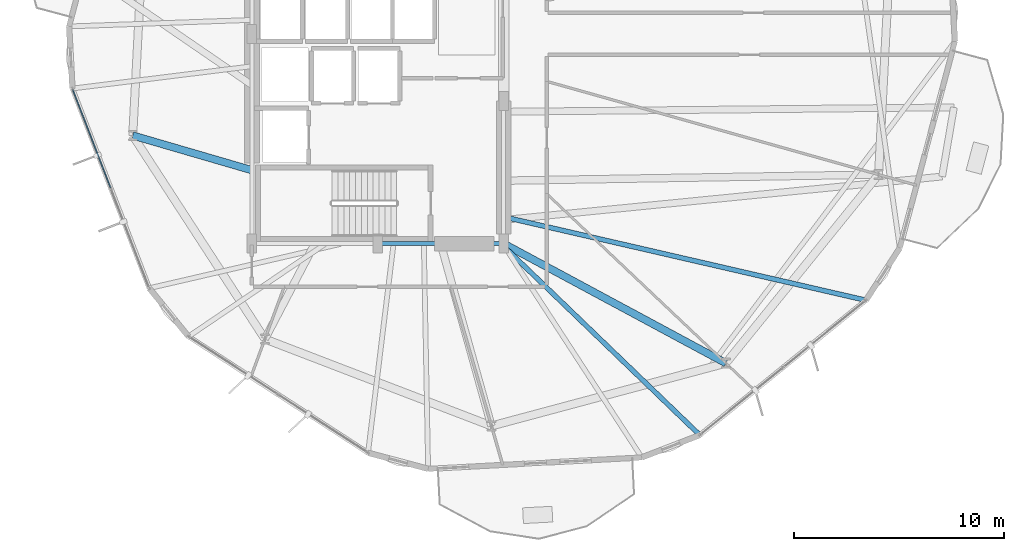
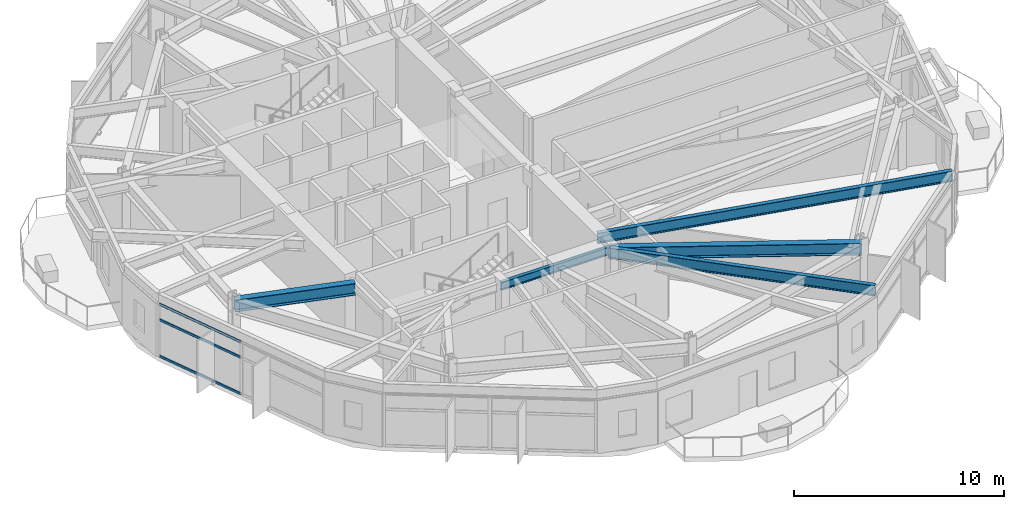
# One storey, part 6 of 23: 5 beams, 3 members, 1 element without a shape of its own.
"""IFC4 building model written with IfcOpenShell, lengths in metres."""

from ifc_helpers import new_model, si_unit, direction, frame, origin, origin_2d, place, context, subcontext, project, spatial, hollow_rectangle, i_section, extrude, material, layer, layer_set, material_profile, profile_set, type_object, element, aggregate, save


model = new_model("IFC4")

# Units and contexts
model_context = context("Model", 3, precision=1e-05, world=origin(), true_north=direction((0.0, 1.0)))
body_context = subcontext(model_context, "Body", "Model", "MODEL_VIEW")
ifc_project = project(units=[si_unit("LENGTHUNIT", "METRE"), si_unit("AREAUNIT", "SQUARE_METRE"), si_unit("VOLUMEUNIT", "CUBIC_METRE"), si_unit("PLANEANGLEUNIT", "RADIAN"), si_unit("MASSUNIT", "GRAM", prefix="KILO")], contexts=[model_context])

# Site, building, storey
site_placement = place(None, origin())
site = spatial("IfcSite", under=ifc_project, at=site_placement, CompositionType="ELEMENT")
building_placement = place(site_placement, origin())
building = spatial("IfcBuilding", under=site, at=building_placement, Name="Soratama Intermodal Tower", CompositionType="ELEMENT")
storey_placement = place(building_placement, frame((0.0, 0.0, 38.60009765625)))
storey = spatial("IfcBuildingStorey", under=building, at=storey_placement, Name="L08", CompositionType="ELEMENT", Elevation=38.60009765625)

# Beams
ifc_material_1 = material(Name="Structural steel ASTM A992 Grade 50", Category="steel")
ifc_material_profile_1 = material_profile(ifc_material_1, i_section(OverallWidth=0.19091796875, OverallDepth=0.4599609375, WebThickness=0.010009765625, FlangeThickness=0.01611328125, FilletRadius=0.010986328125, at=origin_2d()), Name="W18X55")
ifc_profile_set_1 = profile_set([ifc_material_profile_1], Name="Structural steel ASTM A992 Grade 50")
beam_type_1 = type_object("IfcBeamType", Name="BM-FLR-W18X55", PredefinedType="BEAM", material=ifc_profile_set_1)
beam_1_placement = place(storey_placement, frame((38.60009765625, 15.0, 3.469970703125), z_axis=(1.0, 0.0, 0.0), x_axis=(0.0, 1.0, 0.0)))
element("IfcBeam", 1, at=beam_1_placement, inside=storey, type_object=beam_type_1, Name="BM-L08-CRING-02", PredefinedType="BEAM", context=body_context, shape_type="SweptSolid", body=[
    extrude(i_section(OverallWidth=0.19091796875, OverallDepth=0.4599609375, WebThickness=0.010009765625, FlangeThickness=0.01611328125, FilletRadius=0.010986328125, at=origin_2d()), origin(), (0.0, 0.0, 1.0), 6.0),
])
ifc_material_2 = material(Name="Structural steel ASTM A992 Grade 50", Category="steel")
ifc_material_profile_2 = material_profile(ifc_material_2, i_section(OverallWidth=0.35498046875, OverallDepth=0.695068359375, WebThickness=0.015380859375, FlangeThickness=0.02490234375, FilletRadius=0.01611328125, at=origin_2d()), Name="W27X146")
ifc_profile_set_2 = profile_set([ifc_material_profile_2], Name="Structural steel ASTM A992 Grade 50")
beam_type_2 = type_object("IfcBeamType", Name="BM-RING-W27X146", PredefinedType="BEAM", material=ifc_profile_set_2)
beam_2_placement = place(storey_placement, frame((32.60009765625, 18.5, 3.352294921875), z_axis=(-0.960102504931, 0.279648314898, 0.0), x_axis=(-0.279648314898, -0.960102504931, 0.0)))
element("IfcBeam", 2, at=beam_2_placement, inside=storey, type_object=beam_type_2, Name="BM-L08-RAD-06", PredefinedType="BEAM", context=body_context, shape_type="SweptSolid", body=[
    extrude(i_section(OverallWidth=0.35498046875, OverallDepth=0.695068359375, WebThickness=0.015380859375, FlangeThickness=0.02490234375, FilletRadius=0.01611328125, at=origin_2d()), origin(), (0.0, 0.0, 1.0), 5.918212890625),
])
beam_3_placement = place(storey_placement, frame((44.60009765625, 15.0, 3.352294921875), z_axis=(0.880663887759, -0.473741613961, 0.0), x_axis=(0.473741613961, 0.880663887759, 0.0)))
element("IfcBeam", 3, at=beam_3_placement, inside=storey, type_object=beam_type_2, Name="BM-L08-RAD-09", PredefinedType="BEAM", context=body_context, shape_type="SweptSolid", body=[
    extrude(i_section(OverallWidth=0.35498046875, OverallDepth=0.695068359375, WebThickness=0.015380859375, FlangeThickness=0.02490234375, FilletRadius=0.01611328125, at=origin_2d()), origin(), (0.0, 0.0, 1.0), 12.03173828125),
])
ifc_material_3 = material(Name="Structural steel ASTM A992 Grade 50", Category="steel")
ifc_material_profile_3 = material_profile(ifc_material_3, i_section(OverallWidth=0.22900390625, OverallDepth=0.612060546875, WebThickness=0.011962890625, FlangeThickness=0.01953125, FilletRadius=0.012939453125, at=origin_2d()), Name="W24X84")
ifc_profile_set_3 = profile_set([ifc_material_profile_3], Name="Structural steel ASTM A992 Grade 50")
beam_type_3 = type_object("IfcBeamType", Name="BM-TIE-W24X84", PredefinedType="BEAM", material=ifc_profile_set_3)
beam_4_placement = place(storey_placement, frame((44.5009765625, 14.971923828125, 3.393798828125), z_axis=(0.720437590905, -0.693519774492, 0.0), x_axis=(0.693519774492, 0.720437590905, 0.0)))
element("IfcBeam", 4, at=beam_4_placement, inside=storey, type_object=beam_type_3, Name="BM-L08-TIE0-09", PredefinedType="BEAM", context=body_context, shape_type="SweptSolid", body=[
    extrude(i_section(OverallWidth=0.22900390625, OverallDepth=0.612060546875, WebThickness=0.011962890625, FlangeThickness=0.01953125, FilletRadius=0.012939453125, at=origin_2d()), origin(), (0.0, 0.0, 1.0), 13.1240234375),
])
beam_5_placement = place(storey_placement, frame((44.638916015625, 16.26708984375, 3.393798828125), z_axis=(0.97450273047, -0.224375641073, 0.0), x_axis=(0.224375641073, 0.97450273047, 0.0)))
element("IfcBeam", 5, at=beam_5_placement, inside=storey, type_object=beam_type_3, Name="BM-L08-TIE1-09", PredefinedType="BEAM", context=body_context, shape_type="SweptSolid", body=[
    extrude(i_section(OverallWidth=0.22900390625, OverallDepth=0.612060546875, WebThickness=0.011962890625, FlangeThickness=0.01953125, FilletRadius=0.012939453125, at=origin_2d()), origin(), (0.0, 0.0, 1.0), 17.68896484375),
])

# Curtain wall, members
ifc_material_4 = material(Name="Double-glazed aluminium curtain wall", Category="aluminium")
ifc_layer = layer(ifc_material_4, 0.159912109375)
ifc_layer_set = layer_set([ifc_layer], Name="Double-glazed aluminium curtain wall")
curtain_wall_type = type_object("IfcCurtainWallType", Name="CW-SYS-2", PredefinedType="NOTDEFINED", material=ifc_layer_set)
curtain_wall_placement = place(storey_placement, origin())
curtain_wall = element("IfcCurtainWall", 6, at=curtain_wall_placement, inside=storey, type_object=curtain_wall_type, Name="L08 Faceted Curtain Wall F06", PredefinedType="NOTDEFINED")
ifc_material_5 = material(Name="Anodised aluminium AA 6063-T6", Category="aluminium")
ifc_material_profile_4 = material_profile(ifc_material_5, hollow_rectangle(XDim=0.06494140625, YDim=0.14990234375, WallThickness=0.0048828125, InnerFilletRadius=0.0048828125, OuterFilletRadius=0.010009765625, at=origin_2d()), Name="CWT150X65X5")
ifc_profile_set_4 = profile_set([ifc_material_profile_4], Name="Anodised aluminium AA 6063-T6")
member_type = type_object("IfcMemberType", Name="TT-CWT-1", PredefinedType="USERDEFINED", material=ifc_profile_set_4)
member_1_placement = place(storey_placement, frame((24.059814453125, 22.337890625, 0.02978515625), z_axis=(0.359354542161, -0.933201110709, 0.0), x_axis=(0.933201110709, 0.359354542161, 0.0)))
member_1 = element("IfcMember", 7, at=member_1_placement, type_object=member_type, Name="CW-2 transom 1.1", ObjectType="TRANSOM", PredefinedType="USERDEFINED", context=body_context, shape_type="SweptSolid", body=[
    extrude(hollow_rectangle(XDim=0.06494140625, YDim=0.14990234375, WallThickness=0.0048828125, InnerFilletRadius=0.0048828125, OuterFilletRadius=0.010009765625, at=origin_2d()), origin(), (0.0, 0.0, 1.0), 5.010498046875),
])
member_2_placement = place(storey_placement, frame((24.059814453125, 22.337890625, 2.14990234375), z_axis=(0.359354542161, -0.933201110709, 0.0), x_axis=(0.933201110709, 0.359354542161, 0.0)))
member_2 = element("IfcMember", 8, at=member_2_placement, type_object=member_type, Name="CW-2 transom 1.2", ObjectType="TRANSOM", PredefinedType="USERDEFINED", context=body_context, shape_type="SweptSolid", body=[
    extrude(hollow_rectangle(XDim=0.06494140625, YDim=0.14990234375, WallThickness=0.0048828125, InnerFilletRadius=0.0048828125, OuterFilletRadius=0.010009765625, at=origin_2d()), origin(), (0.0, 0.0, 1.0), 5.010498046875),
])
member_3_placement = place(storey_placement, frame((24.059814453125, 22.337890625, 3.048828125), z_axis=(0.359354542161, -0.933201110709, 0.0), x_axis=(0.933201110709, 0.359354542161, 0.0)))
member_3 = element("IfcMember", 9, at=member_3_placement, type_object=member_type, Name="CW-2 transom 1.3", ObjectType="TRANSOM", PredefinedType="USERDEFINED", context=body_context, shape_type="SweptSolid", body=[
    extrude(hollow_rectangle(XDim=0.06494140625, YDim=0.14990234375, WallThickness=0.0048828125, InnerFilletRadius=0.0048828125, OuterFilletRadius=0.010009765625, at=origin_2d()), origin(), (0.0, 0.0, 1.0), 5.010498046875),
])
aggregate(curtain_wall, [member_1, member_2, member_3])

save(model, "model.ifc")
